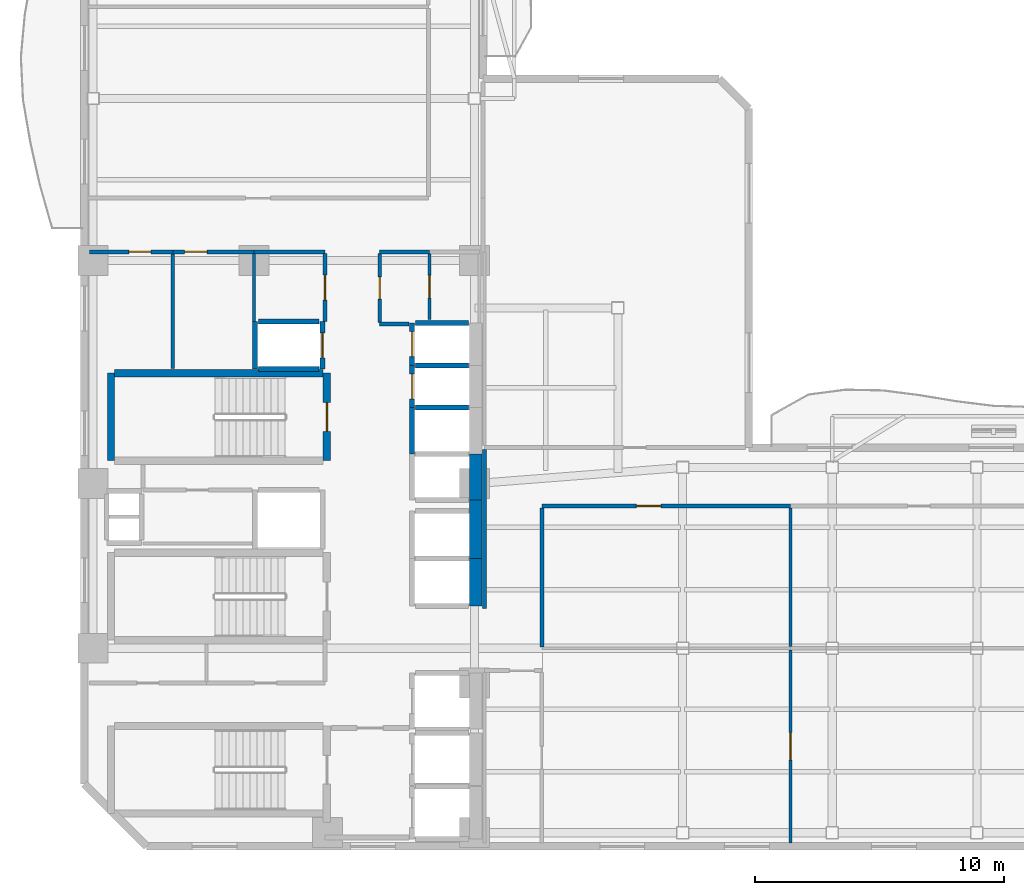
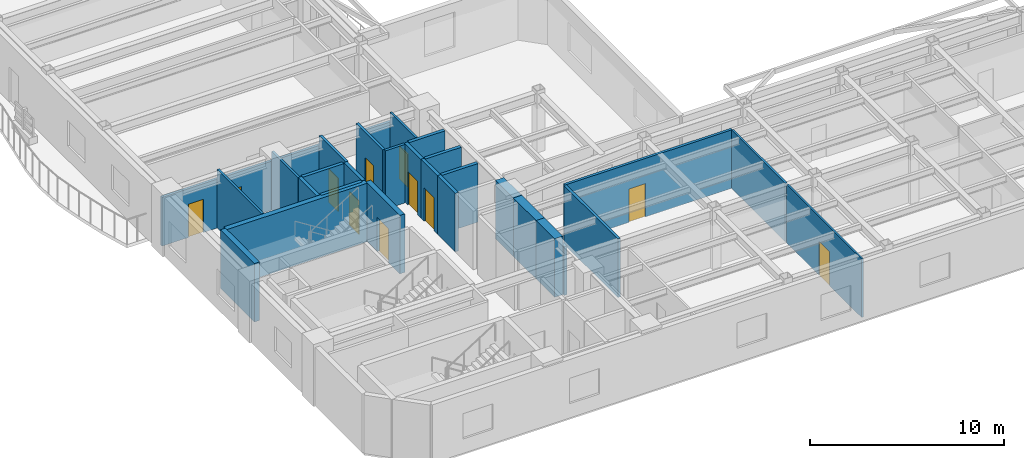
# One storey, part 4 of 9: 31 walls, 11 doors, 11 openings.
"""IFC4 building model written with IfcOpenShell, lengths in metres."""

import ifcopenshell
import ifcopenshell.guid

model = None  # the IFC model being written
_history = None  # IfcOwnerHistory: only IFC2X3 demands one
_inside = {}  # id of a spatial element -> (the spatial element, [elements in it])
_under = {}  # id of a project, library or spatial element -> (it, [spatial elements below it])
_declared = {}  # id of a project -> (the project, [libraries it declares])
_typed = {}  # id of a type object -> (the type object, [elements of that type])
_made_of = {}  # id of a material, layer set ... -> (it, [elements and type objects made of it])


def new_model(schema):
    """Start an empty IFC model of exactly this schema.

    Asked for "IFC4X3", IfcOpenShell would pick the latest addendum, in which some entities
    have other attributes; the version numbers below select the first issue.
    IFC2X3 requires an IfcOwnerHistory on every rooted entity: one is made here for all.
    """
    global model, _history
    if schema == "IFC4X3":
        model = ifcopenshell.file(schema_version=(4, 3, 0, 0))
    else:
        model = ifcopenshell.file(schema=schema)
    _inside.clear()
    _under.clear()
    _declared.clear()
    _typed.clear()
    _made_of.clear()
    _history = None
    if model.schema == "IFC2X3":
        org = make("IfcOrganization", Name="unknown")
        user = make(
            "IfcPersonAndOrganization",
            ThePerson=make("IfcPerson", FamilyName="unknown"),
            TheOrganization=org,
        )
        app = make(
            "IfcApplication",
            ApplicationDeveloper=org,
            Version="unknown",
            ApplicationFullName="unknown",
            ApplicationIdentifier="unknown",
        )
        _history = make(
            "IfcOwnerHistory",
            OwningUser=user,
            OwningApplication=app,
            ChangeAction="ADDED",
            CreationDate=0,
        )
    return model


def make(cls, **values):
    """One entity of the class cls with the attributes given. An attribute that is None is left unset."""
    return model.create_entity(
        cls, **{name: value for name, value in values.items() if value is not None}
    )


def rooted(cls, **values):
    """An entity with a GlobalId (a new one), such as an element, a storey or a relation."""
    return make(cls, GlobalId=ifcopenshell.guid.new(), OwnerHistory=_history, **values)


def si_unit(unit_type, name, prefix=None):
    """IfcSIUnit, for example si_unit("LENGTHUNIT", "METRE", prefix="MILLI")."""
    return make("IfcSIUnit", UnitType=unit_type, Prefix=prefix, Name=name)


def assignment(units):
    """IfcUnitAssignment: the units of a project."""
    return None if units is None else make("IfcUnitAssignment", Units=units)


def point(xyz):
    """IfcCartesianPoint."""
    return None if xyz is None else make("IfcCartesianPoint", Coordinates=xyz)


def direction(xyz):
    """IfcDirection."""
    return None if xyz is None else make("IfcDirection", DirectionRatios=xyz)


def frame(location, z_axis=None, x_axis=None):
    """IfcAxis2Placement3D, a coordinate frame: its origin and axes. An axis left out is left unset."""
    return make(
        "IfcAxis2Placement3D",
        Location=point(location),
        Axis=direction(z_axis),
        RefDirection=direction(x_axis),
    )


def frame_2d(location, x_axis=None):
    """IfcAxis2Placement2D, a coordinate frame in the plane: its origin and x axis."""
    return make(
        "IfcAxis2Placement2D", Location=point(location), RefDirection=direction(x_axis)
    )


def origin():
    """The frame at (0, 0, 0) with its axes left unset."""
    return frame((0.0, 0.0, 0.0))


def place(relative_to, where):
    """IfcLocalPlacement: puts the frame where relative to a parent placement (None: the world)."""
    return make(
        "IfcLocalPlacement", PlacementRelTo=relative_to, RelativePlacement=where
    )


def context(
    kind, dimensions, precision=None, world=None, true_north=None, identifier=None
):
    """IfcGeometricRepresentationContext, for example the 3D "Model" context."""
    return make(
        "IfcGeometricRepresentationContext",
        ContextIdentifier=identifier,
        ContextType=kind,
        CoordinateSpaceDimension=dimensions,
        Precision=precision,
        WorldCoordinateSystem=world,
        TrueNorth=true_north,
    )


def subcontext(parent, identifier, kind, view, scale=None):
    """IfcGeometricRepresentationSubContext, for example "Body" below "Model"."""
    return make(
        "IfcGeometricRepresentationSubContext",
        ContextIdentifier=identifier,
        ContextType=kind,
        ParentContext=parent,
        TargetScale=scale,
        TargetView=view,
    )


def project(units=None, contexts=None):
    """IfcProject with its units and contexts."""
    return rooted(
        "IfcProject",
        Name="project",
        RepresentationContexts=contexts,
        UnitsInContext=assignment(units),
    )


def spatial(cls, under=None, at=None, **own):
    """A site, building, storey or space (cls), placed at a placement, below another one or the project."""
    s = rooted(cls, ObjectPlacement=at, **own)
    if under is not None:
        _under.setdefault(under.id(), (under, []))[1].append(s)
    return s


def profile(cls, at=None, kind="AREA", **sizes):
    """A parametric profile (cls). Its sizes go by their IFC names, for example OverallWidth=200.0."""
    return make(cls, ProfileType=kind, Position=at, **sizes)


def rectangle(**sizes):
    """IfcRectangleProfileDef."""
    return profile("IfcRectangleProfileDef", **sizes)


def extrude(swept, where, along, depth):
    """IfcExtrudedAreaSolid: the profile swept, set in the frame where, extruded along a direction by depth."""
    return make(
        "IfcExtrudedAreaSolid",
        SweptArea=swept,
        Position=where,
        ExtrudedDirection=direction(along),
        Depth=depth,
    )


def shape(context_of_items, identifier, shape_type, items):
    """IfcShapeRepresentation: the items that make up one representation, for example the "Body"."""
    return make(
        "IfcShapeRepresentation",
        ContextOfItems=context_of_items,
        RepresentationIdentifier=identifier,
        RepresentationType=shape_type,
        Items=items,
    )


def material(Name=None, Category=None):
    """IfcMaterial."""
    return make("IfcMaterial", Name=Name, Category=Category)


def layer(
    of_material, thickness, ventilated=None, Name=None, Category=None, Priority=None
):
    """IfcMaterialLayer: one layer of a wall or slab, of a material (None: an air gap)."""
    return make(
        "IfcMaterialLayer",
        Material=of_material,
        LayerThickness=thickness,
        IsVentilated=ventilated,
        Name=Name,
        Category=Category,
        Priority=Priority,
    )


def layer_set(layers, Name=None):
    """IfcMaterialLayerSet."""
    return make("IfcMaterialLayerSet", MaterialLayers=layers, LayerSetName=Name)


def made_of(thing, what):
    """Note that an element or type object is made of a material, layer set ...; save() writes the relation."""
    if what is not None:
        _made_of.setdefault(what.id(), (what, []))[1].append(thing)
    return thing


def type_object(cls, material=None, **own):
    """A type object (cls), such as IfcWallType, which elements share."""
    return made_of(rooted(cls, **own), material)


def element(
    cls,
    number,
    at=None,
    inside=None,
    cuts=None,
    type_object=None,
    material=None,
    context=None,
    identifier="Body",
    shape_type=None,
    held_by="IfcProductDefinitionShape",
    body=None,
    shapes=None,
    **own,
):
    """One element of the class cls, such as IfcWall. Its Tag is "e" and its number.

    at: its placement. inside: the storey or other place that contains it. cuts: it is an
    opening in that element (IfcRelVoidsElement). A single representation is given by context,
    identifier, shape_type and body (its items); several are given by shapes. held_by: the class
    of the entity that holds the representations. save() writes the other relations.
    """
    e = rooted(cls, Tag="e%d" % number, ObjectPlacement=at, **own)
    if body is not None:
        shapes = [shape(context, identifier, shape_type, body)]
    if shapes is not None:
        e.Representation = make(held_by, Representations=shapes)
    if inside is not None:
        _inside.setdefault(inside.id(), (inside, []))[1].append(e)
    if cuts is not None:
        rooted(
            "IfcRelVoidsElement", RelatingBuildingElement=cuts, RelatedOpeningElement=e
        )
    if type_object is not None:
        _typed.setdefault(type_object.id(), (type_object, []))[1].append(e)
    return made_of(e, material)


def fill(opening, filler):
    """IfcRelFillsElement: the door or window that sits in an opening."""
    return rooted(
        "IfcRelFillsElement",
        RelatingOpeningElement=opening,
        RelatedBuildingElement=filler,
    )


def aggregate(whole, parts):
    """IfcRelAggregates: a whole, such as a stair, and the parts it consists of."""
    return rooted("IfcRelAggregates", RelatingObject=whole, RelatedObjects=parts)


def save(model, path):
    """Write the relations noted so far, then the file.

    IfcRelAggregates (storeys below a building ...), IfcRelContainedInSpatialStructure (elements
    in a storey), IfcRelDefinesByType, IfcRelAssociatesMaterial and IfcRelDeclares: one each for
    every whole, place, type object, material and project.
    """
    for whole, parts in _under.values():
        aggregate(whole, parts)
    for where, things in _inside.values():
        rooted(
            "IfcRelContainedInSpatialStructure",
            RelatedElements=things,
            RelatingStructure=where,
        )
    for kind, things in _typed.values():
        rooted("IfcRelDefinesByType", RelatedObjects=things, RelatingType=kind)
    for what, things in _made_of.values():
        rooted("IfcRelAssociatesMaterial", RelatedObjects=things, RelatingMaterial=what)
    for by, libraries in _declared.values():
        rooted("IfcRelDeclares", RelatingContext=by, RelatedDefinitions=libraries)
    model.write(path)


model = new_model("IFC4")

# Units and contexts
model_context = context("Model", 3, precision=1e-05, world=origin(), true_north=direction((0.0, 1.0)))
body_context = subcontext(model_context, "Body", "Model", "MODEL_VIEW")
ifc_project = project(units=[si_unit("LENGTHUNIT", "METRE"), si_unit("AREAUNIT", "SQUARE_METRE"), si_unit("VOLUMEUNIT", "CUBIC_METRE"), si_unit("PLANEANGLEUNIT", "RADIAN"), si_unit("MASSUNIT", "GRAM", prefix="KILO")], contexts=[model_context])

# Site, building, storey
site_placement = place(None, origin())
site = spatial("IfcSite", under=ifc_project, at=site_placement, CompositionType="ELEMENT")
building_placement = place(site_placement, origin())
building = spatial("IfcBuilding", under=site, at=building_placement, Name="Mawjaban Terraces University", CompositionType="ELEMENT")
storey_placement = place(building_placement, frame((0.0, 0.0, 111.199951171875)))
storey = spatial("IfcBuildingStorey", under=building, at=storey_placement, Name="L26", CompositionType="ELEMENT", Elevation=111.199951171875)

# Walls
ifc_material_1 = material(Name="Concrete C60/75", Category="concrete")
ifc_layer_1 = layer(ifc_material_1, 0.5)
ifc_layer_set_1 = layer_set([ifc_layer_1], Name="Concrete C60/75")
wall_type_1 = type_object("IfcWallType", Name="CoreShearWall_500", PredefinedType="SHEAR", material=ifc_layer_set_1)
wall_1_placement = place(storey_placement, frame((37.699951171875, 9.64990234375, 0.0), z_axis=(0.0, 0.0, 1.0), x_axis=(0.0, 1.0, 0.0)))
element("IfcWall", 1, at=wall_1_placement, inside=storey, type_object=wall_type_1, Name="L26 Lift PL-H1 Hoistway Wall East", PredefinedType="SHEAR", context=body_context, shape_type="SweptSolid", body=[
    extrude(rectangle(XDim=1.900146484375, YDim=0.5, at=frame_2d((0.9501953125, 0.0))), origin(), (0.0, 0.0, 1.0), 3.68994140625),
])
wall_2_placement = place(storey_placement, frame((37.699951171875, 11.550048828125, 0.0), z_axis=(0.0, 0.0, 1.0), x_axis=(0.0, 1.0, 0.0)))
element("IfcWall", 2, at=wall_2_placement, inside=storey, type_object=wall_type_1, Name="L26 Lift PL-H2 Hoistway Wall East", PredefinedType="SHEAR", context=body_context, shape_type="SweptSolid", body=[
    extrude(rectangle(XDim=2.349853515625, YDim=0.5, at=frame_2d((1.1748046875, 0.0))), origin(), (0.0, 0.0, 1.0), 3.68994140625),
])
wall_3_placement = place(storey_placement, frame((37.699951171875, 13.89990234375, 0.0), z_axis=(0.0, 0.0, 1.0), x_axis=(0.0, 1.0, 0.0)))
element("IfcWall", 3, at=wall_3_placement, inside=storey, type_object=wall_type_1, Name="L26 Lift OL-1 Hoistway Wall East", PredefinedType="SHEAR", context=body_context, shape_type="SweptSolid", body=[
    extrude(rectangle(XDim=1.85009765625, YDim=0.5, at=frame_2d((0.925048828125, 0.0))), origin(), (0.0, 0.0, 1.0), 3.68994140625),
])

# Wall, opening, door
ifc_material_2 = material(Name="Fire-rated gypsum board on steel stud", Category="steel")
ifc_layer_2 = layer(ifc_material_2, 0.159912109375)
ifc_layer_set_2 = layer_set([ifc_layer_2], Name="Fire-rated gypsum board on steel stud")
wall_type_2 = type_object("IfcWallType", Name="CorridorPartition_160", PredefinedType="PARTITIONING", material=ifc_layer_set_2)
wall_4_placement = place(storey_placement, frame((25.550048828125, 23.85009765625, 0.0), z_axis=(0.0, 0.0, 1.0), x_axis=(-1.0, 0.0, 0.0)))
wall_4 = element("IfcWall", 4, at=wall_4_placement, inside=storey, type_object=wall_type_2, Name="L26 Female Toilet Partition 3", PredefinedType="PARTITIONING", context=body_context, shape_type="SweptSolid", body=[
    extrude(rectangle(XDim=3.35009765625, YDim=0.159912109375, at=frame_2d((1.675048828125, 0.0))), origin(), (0.0, 0.0, 1.0), 3.073974609375),
])
opening_1_placement = place(wall_4_placement, frame((0.885009765625, 0.0, 0.0)))
opening_1 = element("IfcOpeningElement", 5, at=opening_1_placement, cuts=wall_4, Name="Opening ID-088", PredefinedType="OPENING", context=body_context, shape_type="SweptSolid", body=[
    extrude(rectangle(XDim=0.8798828125, YDim=2.10009765625, at=frame_2d((0.43994140625, 1.050048828125))), frame((0.0, 0.08984375, 0.0), z_axis=(0.0, -1.0, 0.0), x_axis=(1.0, 0.0, 0.0)), (0.0, 0.0, 1.0), 0.179931640625),
])
ifc_material_3 = material(Name="Powder-coated steel frame and solid acoustic timber leaf", Category="steel")
door_type_1 = type_object("IfcDoorType", Name="ToiletDoor_880x2100", OperationType="NOTDEFINED", PredefinedType="DOOR", material=ifc_material_3)
door_1_placement = place(opening_1_placement, origin())
door_1 = element("IfcDoor", 6, at=door_1_placement, inside=storey, type_object=door_type_1, Name="L26 Female Toilet Door", OperationType="SINGLE_SWING_RIGHT", OverallHeight=2.10009765625, OverallWidth=0.8798828125, PredefinedType="DOOR", context=body_context, shape_type="SweptSolid", body=[
    extrude(rectangle(XDim=0.8798828125, YDim=2.10009765625, at=frame_2d((0.43994140625, 1.050048828125))), frame((0.0, 0.02490234375, 0.0), z_axis=(0.0, -1.0, 0.0), x_axis=(1.0, 0.0, 0.0)), (0.0, 0.0, 1.0), 0.050048828125),
])
fill(opening_1, door_1)

wall_5_placement = place(storey_placement, frame((28.800048828125, 23.85009765625, 0.0), z_axis=(0.0, 0.0, 1.0), x_axis=(-1.0, 0.0, 0.0)))
wall_5 = element("IfcWall", 7, at=wall_5_placement, inside=storey, type_object=wall_type_2, Name="L26 Staff Tea Pantry Partition 5", PredefinedType="PARTITIONING", context=body_context, shape_type="SweptSolid", body=[
    extrude(rectangle(XDim=3.25, YDim=0.159912109375, at=frame_2d((1.625, 0.0))), origin(), (0.0, 0.0, 1.0), 3.073974609375),
])
opening_2_placement = place(wall_5_placement, frame((1.875, 0.0, 0.0)))
opening_2 = element("IfcOpeningElement", 8, at=opening_2_placement, cuts=wall_5, Name="Opening ID-090", PredefinedType="OPENING", context=body_context, shape_type="SweptSolid", body=[
    extrude(rectangle(XDim=0.89990234375, YDim=2.10009765625, at=frame_2d((0.449951171875, 1.050048828125))), frame((0.0, 0.08984375, 0.0), z_axis=(0.0, -1.0, 0.0), x_axis=(1.0, 0.0, 0.0)), (0.0, 0.0, 1.0), 0.179931640625),
])
door_type_2 = type_object("IfcDoorType", Name="OfficeDoor_900x2100", OperationType="NOTDEFINED", PredefinedType="DOOR", material=ifc_material_3)
door_2_placement = place(opening_2_placement, origin())
door_2 = element("IfcDoor", 9, at=door_2_placement, inside=storey, type_object=door_type_2, Name="L26 Staff Tea Pantry Door", OperationType="SINGLE_SWING_LEFT", OverallHeight=2.10009765625, OverallWidth=0.89990234375, PredefinedType="DOOR", context=body_context, shape_type="SweptSolid", body=[
    extrude(rectangle(XDim=0.89990234375, YDim=2.10009765625, at=frame_2d((0.449951171875, 1.050048828125))), frame((0.0, 0.02490234375, 0.0), z_axis=(0.0, -1.0, 0.0), x_axis=(1.0, 0.0, 0.0)), (0.0, 0.0, 1.0), 0.050048828125),
])
fill(opening_2, door_2)

# Walls
wall_6_placement = place(storey_placement, frame((31.64990234375, 23.85009765625, 0.0), z_axis=(0.0, 0.0, 1.0), x_axis=(-1.0, 0.0, 0.0)))
element("IfcWall", 10, at=wall_6_placement, inside=storey, type_object=wall_type_2, Name="L26 Academic Tutorial Alcove Partition 8", PredefinedType="PARTITIONING", context=body_context, shape_type="SweptSolid", body=[
    extrude(rectangle(XDim=2.849853515625, YDim=0.159912109375, at=frame_2d((1.4248046875, 0.0))), origin(), (0.0, 0.0, 1.0), 3.073974609375),
])
wall_7_placement = place(storey_placement, frame((35.02001953125, 20.949951171875, 0.0), z_axis=(0.0, 0.0, 1.0), x_axis=(-1.0, 0.0, 0.0)))
element("IfcWall", 11, at=wall_7_placement, inside=storey, type_object=wall_type_2, Name="L26 Passenger Lift Lobby Partition 10", PredefinedType="PARTITIONING", context=body_context, shape_type="SweptSolid", body=[
    extrude(rectangle(XDim=1.169921875, YDim=0.159912109375, at=frame_2d((0.5849609375, 0.0))), origin(), (0.0, 0.0, 1.0), 3.68994140625),
])
wall_8_placement = place(storey_placement, frame((35.85009765625, 23.85009765625, 0.0), z_axis=(0.0, 0.0, 1.0), x_axis=(-1.0, 0.0, 0.0)))
element("IfcWall", 12, at=wall_8_placement, inside=storey, type_object=wall_type_2, Name="L26 Departmental Resource Seminar Room Partition 14", PredefinedType="PARTITIONING", context=body_context, shape_type="SweptSolid", body=[
    extrude(rectangle(XDim=2.0, YDim=0.159912109375, at=frame_2d((1.0, 0.0))), origin(), (0.0, 0.0, 1.0), 3.073974609375),
])

# Wall, opening, door
wall_9_placement = place(storey_placement, frame((40.35009765625, 13.64990234375, 0.0), z_axis=(0.0, 0.0, 1.0), x_axis=(1.0, 0.0, 0.0)))
wall_9 = element("IfcWall", 13, at=wall_9_placement, inside=storey, type_object=wall_type_2, Name="L26 Inner Terrace Gallery Corridor East Partition 17", PredefinedType="PARTITIONING", context=body_context, shape_type="SweptSolid", body=[
    extrude(rectangle(XDim=9.97998046875, YDim=0.159912109375, at=frame_2d((4.989990234375, 0.0))), origin(), (0.0, 0.0, 1.0), 3.68994140625),
])
opening_3_placement = place(wall_9_placement, frame((3.7900390625, 0.0, 0.0)))
opening_3 = element("IfcOpeningElement", 14, at=opening_3_placement, cuts=wall_9, Name="Opening ID-100", PredefinedType="OPENING", context=body_context, shape_type="SweptSolid", body=[
    extrude(rectangle(XDim=1.0, YDim=2.10009765625, at=frame_2d((0.5, 1.050048828125))), frame((0.0, 0.08984375, 0.0), z_axis=(0.0, -1.0, 0.0), x_axis=(1.0, 0.0, 0.0)), (0.0, 0.0, 1.0), 0.179931640625),
])
door_type_3 = type_object("IfcDoorType", Name="ClassroomDoor_1000x2100", OperationType="NOTDEFINED", PredefinedType="DOOR", material=ifc_material_3)
door_3_placement = place(opening_3_placement, origin())
door_3 = element("IfcDoor", 15, at=door_3_placement, inside=storey, type_object=door_type_3, Name="L26 Classroom 3 Door", OperationType="SINGLE_SWING_RIGHT", OverallHeight=2.10009765625, OverallWidth=1.0, PredefinedType="DOOR", context=body_context, shape_type="SweptSolid", body=[
    extrude(rectangle(XDim=1.0, YDim=2.10009765625, at=frame_2d((0.5, 1.050048828125))), frame((0.0, 0.02490234375, 0.0), z_axis=(0.0, -1.0, 0.0), x_axis=(1.0, 0.0, 0.0)), (0.0, 0.0, 1.0), 0.050048828125),
])
fill(opening_3, door_3)

wall_10_placement = place(storey_placement, frame((31.64990234375, 23.77490234375, 0.0), z_axis=(0.0, 0.0, 1.0), x_axis=(0.0, -1.0, 0.0)))
wall_10 = element("IfcWall", 16, at=wall_10_placement, inside=storey, type_object=wall_type_2, Name="L26 Core North Lift Lobby Partition 30", PredefinedType="PARTITIONING", context=body_context, shape_type="SweptSolid", body=[
    extrude(rectangle(XDim=2.724853515625, YDim=0.159912109375, at=frame_2d((1.3623046875, 0.0))), origin(), (0.0, 0.0, 1.0), 3.68994140625),
])
opening_4_placement = place(wall_10_placement, frame((0.862060546875, 0.0, 0.0)))
opening_4 = element("IfcOpeningElement", 17, at=opening_4_placement, cuts=wall_10, Name="Opening ID-100", PredefinedType="OPENING", context=body_context, shape_type="SweptSolid", body=[
    extrude(rectangle(XDim=1.0, YDim=2.10009765625, at=frame_2d((0.5, 1.050048828125))), frame((0.0, 0.08984375, 0.0), z_axis=(0.0, -1.0, 0.0), x_axis=(1.0, 0.0, 0.0)), (0.0, 0.0, 1.0), 0.179931640625),
])
door_4_placement = place(opening_4_placement, origin())
door_4 = element("IfcDoor", 18, at=door_4_placement, inside=storey, type_object=door_type_3, Name="L26 Academic Tutorial Alcove Door", OperationType="SINGLE_SWING_RIGHT", OverallHeight=2.10009765625, OverallWidth=1.0, PredefinedType="DOOR", context=body_context, shape_type="SweptSolid", body=[
    extrude(rectangle(XDim=1.0, YDim=2.10009765625, at=frame_2d((0.5, 1.050048828125))), frame((0.0, 0.02490234375, 0.0), z_axis=(0.0, -1.0, 0.0), x_axis=(1.0, 0.0, 0.0)), (0.0, 0.0, 1.0), 0.050048828125),
])
fill(opening_4, door_4)

wall_11_placement = place(storey_placement, frame((33.85009765625, 21.02490234375, 0.0), z_axis=(0.0, 0.0, 1.0), x_axis=(0.0, 1.0, 0.0)))
wall_11 = element("IfcWall", 19, at=wall_11_placement, inside=storey, type_object=wall_type_2, Name="L26 Core North Lift Lobby Partition 31", PredefinedType="PARTITIONING", context=body_context, shape_type="SweptSolid", body=[
    extrude(rectangle(XDim=2.75, YDim=0.159912109375, at=frame_2d((1.375, 0.0))), origin(), (0.0, 0.0, 1.0), 3.68994140625),
])
opening_5_placement = place(wall_11_placement, frame((0.925048828125, 0.0, 0.0)))
opening_5 = element("IfcOpeningElement", 20, at=opening_5_placement, cuts=wall_11, Name="Opening ID-090", PredefinedType="OPENING", context=body_context, shape_type="SweptSolid", body=[
    extrude(rectangle(XDim=0.89990234375, YDim=2.10009765625, at=frame_2d((0.449951171875, 1.050048828125))), frame((0.0, 0.08984375, 0.0), z_axis=(0.0, -1.0, 0.0), x_axis=(1.0, 0.0, 0.0)), (0.0, 0.0, 1.0), 0.179931640625),
])
door_5_placement = place(opening_5_placement, origin())
door_5 = element("IfcDoor", 21, at=door_5_placement, inside=storey, type_object=door_type_2, Name="L26 Departmental Resource Seminar Room Door", OperationType="SINGLE_SWING_RIGHT", OverallHeight=2.10009765625, OverallWidth=0.89990234375, PredefinedType="DOOR", context=body_context, shape_type="SweptSolid", body=[
    extrude(rectangle(XDim=0.89990234375, YDim=2.10009765625, at=frame_2d((0.449951171875, 1.050048828125))), frame((0.0, 0.02490234375, 0.0), z_axis=(0.0, -1.0, 0.0), x_axis=(1.0, 0.0, 0.0)), (0.0, 0.0, 1.0), 0.050048828125),
])
fill(opening_5, door_5)

# Walls
wall_12_placement = place(storey_placement, frame((38.050048828125, 15.925048828125, 0.0), z_axis=(0.0, 0.0, 1.0), x_axis=(0.0, -1.0, 0.0)))
element("IfcWall", 22, at=wall_12_placement, inside=storey, type_object=wall_type_2, Name="L26 Inner Gallery Link Corridor Partition 40", PredefinedType="PARTITIONING", context=body_context, shape_type="SweptSolid", body=[
    extrude(rectangle(XDim=6.375, YDim=0.159912109375, at=frame_2d((3.1875, 0.0))), origin(), (0.0, 0.0, 1.0), 3.073974609375),
])
wall_13_placement = place(storey_placement, frame((40.35009765625, 8.0, 0.0), z_axis=(0.0, 0.0, 1.0), x_axis=(0.0, 1.0, 0.0)))
element("IfcWall", 23, at=wall_13_placement, inside=storey, type_object=wall_type_2, Name="L26 Inner Gallery Link Corridor Partition 43", PredefinedType="PARTITIONING", context=body_context, shape_type="SweptSolid", body=[
    extrude(rectangle(XDim=5.574951171875, YDim=0.159912109375, at=frame_2d((2.78759765625, 0.0))), origin(), (0.0, 0.0, 1.0), 3.68994140625),
])
ifc_material_4 = material(Name="Concrete C40/50", Category="concrete")
ifc_layer_3 = layer(ifc_material_4, 0.199951171875)
ifc_layer_set_3 = layer_set([ifc_layer_3], Name="Concrete C40/50")
wall_type_3 = type_object("IfcWallType", Name="FireLobbyWall_200", PredefinedType="SOLIDWALL", material=ifc_layer_set_3)
wall_14_placement = place(storey_placement, frame((35.14990234375, 17.60009765625, 0.0), z_axis=(0.0, 0.0, 1.0), x_axis=(0.0, -1.0, 0.0)))
element("IfcWall", 24, at=wall_14_placement, inside=storey, type_object=wall_type_3, Name="L26 Lift OL-2 Hoistway Wall West", PredefinedType="SOLIDWALL", context=body_context, shape_type="SweptSolid", body=[
    extrude(rectangle(XDim=1.85009765625, YDim=0.199951171875, at=frame_2d((0.925048828125, 0.0))), origin(), (0.0, 0.0, 1.0), 3.68994140625),
])
wall_15_placement = place(storey_placement, frame((37.419921875, 17.60009765625, 0.0), z_axis=(0.0, 0.0, 1.0), x_axis=(-1.0, 0.0, 0.0)))
element("IfcWall", 25, at=wall_15_placement, inside=storey, type_object=wall_type_3, Name="L26 Lift OL-2 Hoistway Wall North", PredefinedType="SOLIDWALL", context=body_context, shape_type="SweptSolid", body=[
    extrude(rectangle(XDim=2.139892578125, YDim=0.199951171875, at=frame_2d((1.06982421875, 0.0))), origin(), (0.0, 0.0, 1.0), 3.68994140625),
])

# Wall, opening, door
wall_16_placement = place(storey_placement, frame((35.14990234375, 19.300048828125, 0.0), z_axis=(0.0, 0.0, 1.0), x_axis=(0.0, -1.0, 0.0)))
wall_16 = element("IfcWall", 26, at=wall_16_placement, inside=storey, type_object=wall_type_3, Name="L26 Lift PL-M1 Hoistway Wall West", PredefinedType="SOLIDWALL", context=body_context, shape_type="SweptSolid", body=[
    extrude(rectangle(XDim=1.699951171875, YDim=0.199951171875, at=frame_2d((0.85009765625, 0.0))), origin(), (0.0, 0.0, 1.0), 3.68994140625),
])
opening_6_placement = place(wall_16_placement, frame((0.35009765625, 0.0, 0.0)))
opening_6 = element("IfcOpeningElement", 27, at=opening_6_placement, cuts=wall_16, Name="Opening LD-PL-M1", PredefinedType="OPENING", context=body_context, shape_type="SweptSolid", body=[
    extrude(rectangle(XDim=1.0, YDim=2.10009765625, at=frame_2d((0.5, 1.050048828125))), frame((0.0, 0.10986328125, 0.0), z_axis=(0.0, -1.0, 0.0), x_axis=(1.0, 0.0, 0.0)), (0.0, 0.0, 1.0), 0.219970703125),
])
ifc_material_5 = material(Name="Powder-coated steel frame and fire-rated steel-faced leaf", Category="steel")
door_type_4 = type_object("IfcDoorType", Name="LiftLandingSliding_1000x2100", OperationType="NOTDEFINED", PredefinedType="DOOR", material=ifc_material_5)
door_6_placement = place(opening_6_placement, origin())
door_6 = element("IfcDoor", 28, at=door_6_placement, inside=storey, type_object=door_type_4, Name="L26 Lift PL-M1 Sliding Landing Door", OperationType="DOUBLE_DOOR_SLIDING", OverallHeight=2.10009765625, OverallWidth=1.0, PredefinedType="DOOR", context=body_context, shape_type="SweptSolid", body=[
    extrude(rectangle(XDim=1.0, YDim=2.10009765625, at=frame_2d((0.5, 1.050048828125))), frame((0.0, 0.02490234375, 0.0), z_axis=(0.0, -1.0, 0.0), x_axis=(1.0, 0.0, 0.0)), (0.0, 0.0, 1.0), 0.050048828125),
])
fill(opening_6, door_6)

# Wall
wall_17_placement = place(storey_placement, frame((37.419921875, 19.300048828125, 0.0), z_axis=(0.0, 0.0, 1.0), x_axis=(-1.0, 0.0, 0.0)))
element("IfcWall", 29, at=wall_17_placement, inside=storey, type_object=wall_type_3, Name="L26 Lift PL-M1 Hoistway Wall North", PredefinedType="SOLIDWALL", context=body_context, shape_type="SweptSolid", body=[
    extrude(rectangle(XDim=2.139892578125, YDim=0.199951171875, at=frame_2d((1.06982421875, 0.0))), origin(), (0.0, 0.0, 1.0), 3.68994140625),
])

# Wall, opening, door
wall_18_placement = place(storey_placement, frame((35.14990234375, 21.0, 0.0), z_axis=(0.0, 0.0, 1.0), x_axis=(0.0, -1.0, 0.0)))
wall_18 = element("IfcWall", 30, at=wall_18_placement, inside=storey, type_object=wall_type_3, Name="L26 Lift PL-M2 Hoistway Wall West", PredefinedType="SOLIDWALL", context=body_context, shape_type="SweptSolid", body=[
    extrude(rectangle(XDim=1.699951171875, YDim=0.199951171875, at=frame_2d((0.85009765625, 0.0))), origin(), (0.0, 0.0, 1.0), 3.68994140625),
])
opening_7_placement = place(wall_18_placement, frame((0.35009765625, 0.0, 0.0)))
opening_7 = element("IfcOpeningElement", 31, at=opening_7_placement, cuts=wall_18, Name="Opening LD-PL-M2", PredefinedType="OPENING", context=body_context, shape_type="SweptSolid", body=[
    extrude(rectangle(XDim=1.0, YDim=2.10009765625, at=frame_2d((0.5, 1.050048828125))), frame((0.0, 0.10986328125, 0.0), z_axis=(0.0, -1.0, 0.0), x_axis=(1.0, 0.0, 0.0)), (0.0, 0.0, 1.0), 0.219970703125),
])
door_7_placement = place(opening_7_placement, origin())
door_7 = element("IfcDoor", 32, at=door_7_placement, inside=storey, type_object=door_type_4, Name="L26 Lift PL-M2 Sliding Landing Door", OperationType="DOUBLE_DOOR_SLIDING", OverallHeight=2.10009765625, OverallWidth=1.0, PredefinedType="DOOR", context=body_context, shape_type="SweptSolid", body=[
    extrude(rectangle(XDim=1.0, YDim=2.10009765625, at=frame_2d((0.5, 1.050048828125))), frame((0.0, 0.02490234375, 0.0), z_axis=(0.0, -1.0, 0.0), x_axis=(1.0, 0.0, 0.0)), (0.0, 0.0, 1.0), 0.050048828125),
])
fill(opening_7, door_7)

# Walls
wall_19_placement = place(storey_placement, frame((37.419921875, 21.0, 0.0), z_axis=(0.0, 0.0, 1.0), x_axis=(-1.0, 0.0, 0.0)))
element("IfcWall", 33, at=wall_19_placement, inside=storey, type_object=wall_type_3, Name="L26 Lift PL-M2 Hoistway Wall North", PredefinedType="SOLIDWALL", context=body_context, shape_type="SweptSolid", body=[
    extrude(rectangle(XDim=2.139892578125, YDim=0.199951171875, at=frame_2d((1.06982421875, 0.0))), origin(), (0.0, 0.0, 1.0), 3.68994140625),
])
wall_20_placement = place(storey_placement, frame((28.85009765625, 21.050048828125, 0.0), z_axis=(0.0, 0.0, 1.0), x_axis=(0.0, -1.0, 0.0)))
element("IfcWall", 34, at=wall_20_placement, inside=storey, type_object=wall_type_3, Name="L26 Lift PL-M3 Hoistway Wall West", PredefinedType="SOLIDWALL", context=body_context, shape_type="SweptSolid", body=[
    extrude(rectangle(XDim=1.900146484375, YDim=0.199951171875, at=frame_2d((0.9501953125, 0.0))), origin(), (0.0, 0.0, 1.0), 3.68994140625),
])

# Wall, opening, door
wall_21_placement = place(storey_placement, frame((31.550048828125, 19.14990234375, 0.0), z_axis=(0.0, 0.0, 1.0), x_axis=(0.0, 1.0, 0.0)))
wall_21 = element("IfcWall", 35, at=wall_21_placement, inside=storey, type_object=wall_type_3, Name="L26 Lift PL-M3 Hoistway Wall East", PredefinedType="SOLIDWALL", context=body_context, shape_type="SweptSolid", body=[
    extrude(rectangle(XDim=1.900146484375, YDim=0.199951171875, at=frame_2d((0.9501953125, 0.0))), origin(), (0.0, 0.0, 1.0), 3.68994140625),
])
opening_8_placement = place(wall_21_placement, frame((0.449951171875, 0.0, 0.0)))
opening_8 = element("IfcOpeningElement", 36, at=opening_8_placement, cuts=wall_21, Name="Opening LD-PL-M3", PredefinedType="OPENING", context=body_context, shape_type="SweptSolid", body=[
    extrude(rectangle(XDim=1.0, YDim=2.10009765625, at=frame_2d((0.5, 1.050048828125))), frame((0.0, 0.10986328125, 0.0), z_axis=(0.0, -1.0, 0.0), x_axis=(1.0, 0.0, 0.0)), (0.0, 0.0, 1.0), 0.219970703125),
])
door_8_placement = place(opening_8_placement, origin())
door_8 = element("IfcDoor", 37, at=door_8_placement, inside=storey, type_object=door_type_4, Name="L26 Lift PL-M3 Sliding Landing Door", OperationType="DOUBLE_DOOR_SLIDING", OverallHeight=2.10009765625, OverallWidth=1.0, PredefinedType="DOOR", context=body_context, shape_type="SweptSolid", body=[
    extrude(rectangle(XDim=1.0, YDim=2.10009765625, at=frame_2d((0.5, 1.050048828125))), frame((0.0, 0.02490234375, 0.0), z_axis=(0.0, -1.0, 0.0), x_axis=(1.0, 0.0, 0.0)), (0.0, 0.0, 1.0), 0.050048828125),
])
fill(opening_8, door_8)

# Walls
for number, where, z_axis, x_axis, name in (
    (38, (28.97998046875, 19.14990234375, 0.0), (0.0, 0.0, 1.0), (1.0, 0.0, 0.0), "L26 Lift PL-M3 Hoistway Wall South"),
    (39, (31.419921875, 21.050048828125, 0.0), (0.0, 0.0, 1.0), (-1.0, 0.0, 0.0), "L26 Lift PL-M3 Hoistway Wall North"),
):
    element("IfcWall", number, at=place(storey_placement, frame(where, z_axis=z_axis, x_axis=x_axis)), inside=storey, type_object=wall_type_3, Name=name, PredefinedType="SOLIDWALL", context=body_context, shape_type="SweptSolid", body=[
        extrude(rectangle(XDim=2.43994140625, YDim=0.199951171875, at=frame_2d((1.219970703125, 0.0))), origin(), (0.0, 0.0, 1.0), 3.68994140625),
    ])
ifc_material_6 = material(Name="Gypsum plasterboard on steel stud", Category="steel")
ifc_layer_4 = layer(ifc_material_6, 0.125)
ifc_layer_set_4 = layer_set([ifc_layer_4], Name="Gypsum plasterboard on steel stud")
wall_type_4 = type_object("IfcWallType", Name="OfficePartition_125", PredefinedType="PARTITIONING", material=ifc_layer_set_4)
wall_22_placement = place(storey_placement, frame((28.800048828125, 23.77490234375, 0.0), z_axis=(0.0, 0.0, 1.0), x_axis=(0.0, -1.0, 0.0)))
element("IfcWall", 40, at=wall_22_placement, inside=storey, type_object=wall_type_4, Name="L26 Academic Tutorial Alcove Partition 28", PredefinedType="PARTITIONING", context=body_context, shape_type="SweptSolid", body=[
    extrude(rectangle(XDim=2.724853515625, YDim=0.125, at=frame_2d((1.3623046875, 0.0))), origin(), (0.0, 0.0, 1.0), 3.68994140625),
])

# Wall, opening, door
wall_23_placement = place(storey_placement, frame((35.85009765625, 21.1298828125, 0.0), z_axis=(0.0, 0.0, 1.0), x_axis=(0.0, 1.0, 0.0)))
wall_23 = element("IfcWall", 41, at=wall_23_placement, inside=storey, type_object=wall_type_4, Name="L26 Departmental Resource Seminar Room Partition 35", PredefinedType="PARTITIONING", context=body_context, shape_type="SweptSolid", body=[
    extrude(rectangle(XDim=2.64501953125, YDim=0.125, at=frame_2d((1.322509765625, 0.0))), origin(), (0.0, 0.0, 1.0), 3.68994140625),
])
opening_9_placement = place(wall_23_placement, frame((0.8720703125, 0.0, 0.0)))
opening_9 = element("IfcOpeningElement", 42, at=opening_9_placement, cuts=wall_23, Name="Opening ID-090", PredefinedType="OPENING", context=body_context, shape_type="SweptSolid", body=[
    extrude(rectangle(XDim=0.89990234375, YDim=2.10009765625, at=frame_2d((0.449951171875, 1.050048828125))), frame((0.0, 0.072509765625, 0.0), z_axis=(0.0, -1.0, 0.0), x_axis=(1.0, 0.0, 0.0)), (0.0, 0.0, 1.0), 0.14501953125),
])
door_9_placement = place(opening_9_placement, origin())
door_9 = element("IfcDoor", 43, at=door_9_placement, inside=storey, type_object=door_type_2, Name="L26 Faculty Archive Closet Door", OperationType="SINGLE_SWING_LEFT", OverallHeight=2.10009765625, OverallWidth=0.89990234375, PredefinedType="DOOR", context=body_context, shape_type="SweptSolid", body=[
    extrude(rectangle(XDim=0.89990234375, YDim=2.10009765625, at=frame_2d((0.449951171875, 1.050048828125))), frame((0.0, 0.02490234375, 0.0), z_axis=(0.0, -1.0, 0.0), x_axis=(1.0, 0.0, 0.0)), (0.0, 0.0, 1.0), 0.050048828125),
])
fill(opening_9, door_9)

# Wall
wall_24_placement = place(storey_placement, frame((50.330078125, 8.01806640625, 0.0), z_axis=(0.0, 0.0, 1.0), x_axis=(0.0, 1.0, 0.0)))
element("IfcWall", 44, at=wall_24_placement, inside=storey, type_object=wall_type_4, Name="L26 Classroom 3 Partition 45", PredefinedType="PARTITIONING", context=body_context, shape_type="SweptSolid", body=[
    extrude(rectangle(XDim=5.556884765625, YDim=0.125, at=frame_2d((2.7783203125, 0.0))), origin(), (0.0, 0.0, 1.0), 3.68994140625),
])

# Wall, opening, door
ifc_material_7 = material(Name="Acoustic operable panel partition", Category="masonry")
ifc_layer_5 = layer(ifc_material_7, 0.110107421875)
ifc_layer_set_5 = layer_set([ifc_layer_5], Name="Acoustic operable panel partition")
wall_type_5 = type_object("IfcWallType", Name="OperableSeminarWall_110", PredefinedType="MOVABLE", material=ifc_layer_set_5)
wall_25_placement = place(storey_placement, frame((50.330078125, 0.14501953125, 0.0), z_axis=(0.0, 0.0, 1.0), x_axis=(0.0, 1.0, 0.0)))
wall_25 = element("IfcWall", 45, at=wall_25_placement, inside=storey, type_object=wall_type_5, Name="L26 Seminar Room 2 Partition 44", PredefinedType="MOVABLE", context=body_context, shape_type="SweptSolid", body=[
    extrude(rectangle(XDim=7.738037109375, YDim=0.110107421875, at=frame_2d((3.869140625, 0.0))), origin(), (0.0, 0.0, 1.0), 3.68994140625),
])
opening_10_placement = place(wall_25_placement, frame((3.319091796875, 0.0, 0.0)))
opening_10 = element("IfcOpeningElement", 46, at=opening_10_placement, cuts=wall_25, Name="Opening ID-110", PredefinedType="OPENING", context=body_context, shape_type="SweptSolid", body=[
    extrude(rectangle(XDim=1.10009765625, YDim=2.14990234375, at=frame_2d((0.550048828125, 1.074951171875))), frame((0.0, 0.06494140625, 0.0), z_axis=(0.0, -1.0, 0.0), x_axis=(1.0, 0.0, 0.0)), (0.0, 0.0, 1.0), 0.130126953125),
])
door_type_5 = type_object("IfcDoorType", Name="LabDoor_1100x2150", OperationType="NOTDEFINED", PredefinedType="DOOR", material=ifc_material_3)
door_10_placement = place(opening_10_placement, origin())
door_10 = element("IfcDoor", 47, at=door_10_placement, inside=storey, type_object=door_type_5, Name="L26 Teaching Laboratory 4 Door", OperationType="SINGLE_SWING_LEFT", OverallHeight=2.14990234375, OverallWidth=1.10009765625, PredefinedType="DOOR", context=body_context, shape_type="SweptSolid", body=[
    extrude(rectangle(XDim=1.10009765625, YDim=2.14990234375, at=frame_2d((0.550048828125, 1.074951171875))), frame((0.0, 0.02490234375, 0.0), z_axis=(0.0, -1.0, 0.0), x_axis=(1.0, 0.0, 0.0)), (0.0, 0.0, 1.0), 0.050048828125),
])
fill(opening_10, door_10)

# Walls
ifc_layer_6 = layer(ifc_material_1, 0.300048828125)
ifc_layer_set_6 = layer_set([ifc_layer_6], Name="Concrete C60/75")
wall_type_6 = type_object("IfcWallType", Name="StairShaftWall_300", PredefinedType="SHEAR", material=ifc_layer_set_6)
wall_26_placement = place(storey_placement, frame((31.580078125, 18.97998046875, 0.0), z_axis=(0.0, 0.0, 1.0), x_axis=(-1.0, 0.0, 0.0)))
element("IfcWall", 48, at=wall_26_placement, inside=storey, type_object=wall_type_6, Name="L26 ST-2 Stair Shaft Wall 1", PredefinedType="SHEAR", context=body_context, shape_type="SweptSolid", body=[
    extrude(rectangle(XDim=8.360107421875, YDim=0.300048828125, at=frame_2d((4.18017578125, 0.0))), origin(), (0.0, 0.0, 1.0), 3.68994140625),
])
wall_27_placement = place(storey_placement, frame((23.070068359375, 18.97998046875, 0.0), z_axis=(0.0, 0.0, 1.0), x_axis=(0.0, -1.0, 0.0)))
element("IfcWall", 49, at=wall_27_placement, inside=storey, type_object=wall_type_6, Name="L26 ST-2 Stair Shaft Wall 2", PredefinedType="SHEAR", context=body_context, shape_type="SweptSolid", body=[
    extrude(rectangle(XDim=3.510009765625, YDim=0.300048828125, at=frame_2d((1.7548828125, 0.0))), origin(), (0.0, 0.0, 1.0), 3.68994140625),
])

# Wall, opening, door
wall_28_placement = place(storey_placement, frame((31.72998046875, 15.469970703125, 0.0), z_axis=(0.0, 0.0, 1.0), x_axis=(0.0, 1.0, 0.0)))
wall_28 = element("IfcWall", 50, at=wall_28_placement, inside=storey, type_object=wall_type_6, Name="L26 ST-2 Stair Shaft Wall 4", PredefinedType="SHEAR", context=body_context, shape_type="SweptSolid", body=[
    extrude(rectangle(XDim=3.510009765625, YDim=0.300048828125, at=frame_2d((1.7548828125, 0.0))), origin(), (0.0, 0.0, 1.0), 3.68994140625),
])
opening_11_placement = place(wall_28_placement, frame((1.179931640625, 0.0, 0.0)))
opening_11 = element("IfcOpeningElement", 51, at=opening_11_placement, cuts=wall_28, Name="Opening FD-115", PredefinedType="OPENING", context=body_context, shape_type="SweptSolid", body=[
    extrude(rectangle(XDim=1.14990234375, YDim=2.14990234375, at=frame_2d((0.574951171875, 1.074951171875))), frame((0.0, 0.159912109375, 0.0), z_axis=(0.0, -1.0, 0.0), x_axis=(1.0, 0.0, 0.0)), (0.0, 0.0, 1.0), 0.320068359375),
])
door_type_6 = type_object("IfcDoorType", Name="FireStairDoor_1150x2150", OperationType="NOTDEFINED", PredefinedType="DOOR", material=ifc_material_5)
door_11_placement = place(opening_11_placement, origin())
door_11 = element("IfcDoor", 52, at=door_11_placement, inside=storey, type_object=door_type_6, Name="L26 ST-2 Pressurised Stair Fire Door", OperationType="SINGLE_SWING_LEFT", OverallHeight=2.14990234375, OverallWidth=1.14990234375, PredefinedType="DOOR", context=body_context, shape_type="SweptSolid", body=[
    extrude(rectangle(XDim=1.14990234375, YDim=2.14990234375, at=frame_2d((0.574951171875, 1.074951171875))), frame((0.0, 0.02490234375, 0.0), z_axis=(0.0, -1.0, 0.0), x_axis=(1.0, 0.0, 0.0)), (0.0, 0.0, 1.0), 0.050048828125),
])
fill(opening_11, door_11)

# Wall
ifc_material_8 = material(Name="Cement-board wet-room partition", Category="masonry")
ifc_layer_7 = layer(ifc_material_8, 0.135009765625)
ifc_layer_set_7 = layer_set([ifc_layer_7], Name="Cement-board wet-room partition")
wall_type_7 = type_object("IfcWallType", Name="WetRoomPartition_135", PredefinedType="PARTITIONING", material=ifc_layer_set_7)
wall_29_placement = place(storey_placement, frame((25.550048828125, 19.159912109375, 0.0), z_axis=(0.0, 0.0, 1.0), x_axis=(0.0, 1.0, 0.0)))
element("IfcWall", 53, at=wall_29_placement, inside=storey, type_object=wall_type_7, Name="L26 Female Toilet Partition 26", PredefinedType="PARTITIONING", context=body_context, shape_type="SweptSolid", body=[
    extrude(rectangle(XDim=4.614990234375, YDim=0.135009765625, at=frame_2d((2.3076171875, 0.0))), origin(), (0.0, 0.0, 1.0), 3.68994140625),
])

save(model, "model.ifc")
